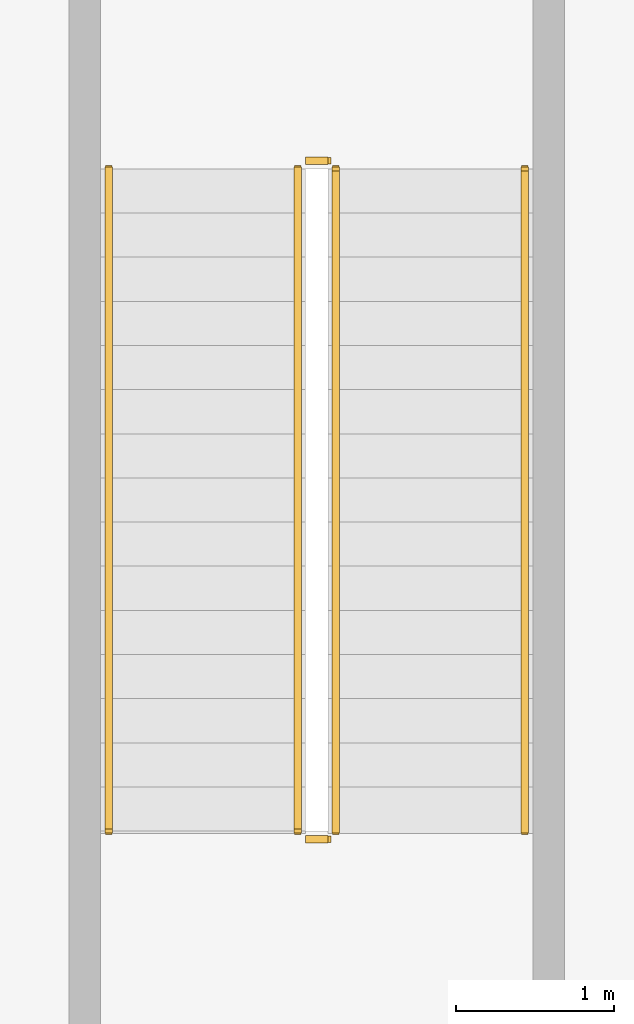
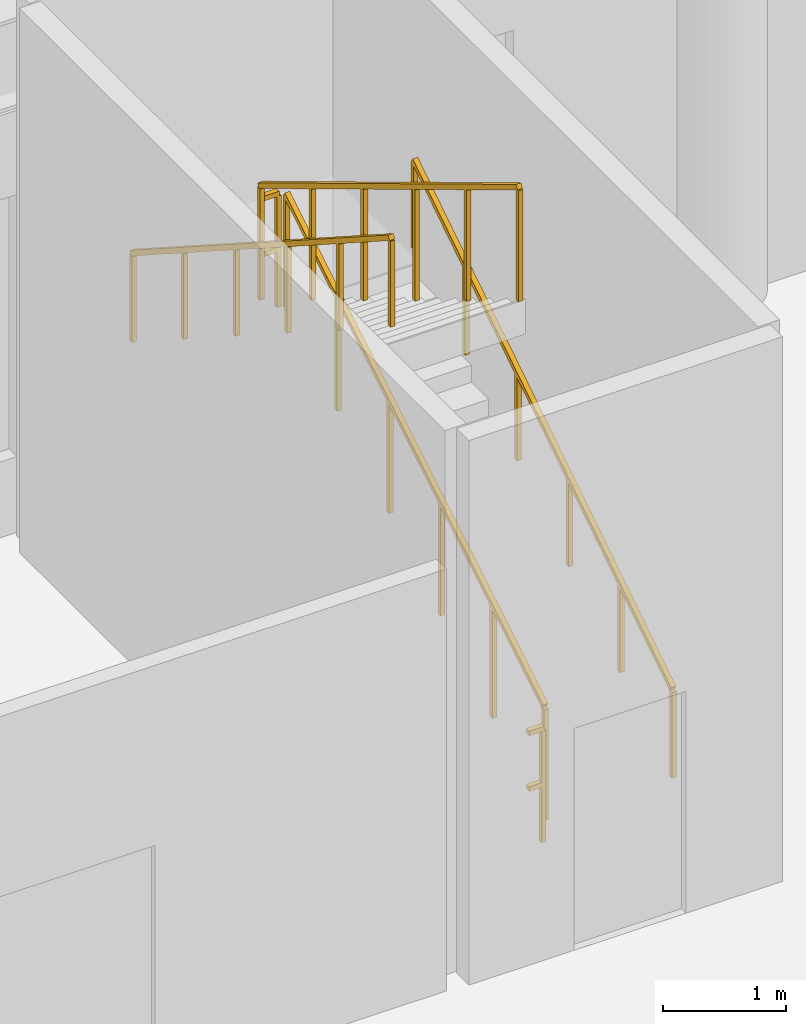
# One storey, part 24 of 24: 6 railings.
"""IFC4 building model written with IfcOpenShell, lengths in metres."""

from ifc_helpers import new_model, si_unit, derived_unit, direction, frame, origin, origin_2d, place, context, subcontext, project, spatial, rectangle, extrude, material, type_object, element, save


model = new_model("IFC4")

# Units and contexts
model_context = context("Model", 3, precision=1e-05, world=origin(), true_north=direction((0.0, 1.0)))
body_context = subcontext(model_context, "Body", "Model", "MODEL_VIEW")
ifc_project = project(units=[si_unit("LENGTHUNIT", "METRE"), si_unit("AREAUNIT", "SQUARE_METRE"), si_unit("VOLUMEUNIT", "CUBIC_METRE"), si_unit("PLANEANGLEUNIT", "RADIAN"), si_unit("MASSUNIT", "GRAM", prefix="KILO"), si_unit("THERMODYNAMICTEMPERATUREUNIT", "KELVIN"), si_unit("POWERUNIT", "WATT"), derived_unit("THERMALTRANSMITTANCEUNIT", [(si_unit("POWERUNIT", "WATT"), 1), (si_unit("AREAUNIT", "SQUARE_METRE"), -1), (si_unit("THERMODYNAMICTEMPERATUREUNIT", "KELVIN"), -1)])], contexts=[model_context])

# Site, building, storey
site_placement = place(None, origin())
site = spatial("IfcSite", under=ifc_project, at=site_placement, CompositionType="ELEMENT")
building_placement = place(site_placement, origin())
building = spatial("IfcBuilding", under=site, at=building_placement, Name="Zahravan Archway Hotel and Residences", CompositionType="ELEMENT")
storey_placement = place(building_placement, frame((0.0, 0.0, 10.800048828125)))
storey = spatial("IfcBuildingStorey", under=building, at=storey_placement, Name="L02", CompositionType="ELEMENT", Elevation=10.800048828125)

# Railings
ifc_material_1 = material(Name="Painted Tubular Steel", Category="steel")
railing_type_1 = type_object("IfcRailingType", Name="RL-STG-1150", PredefinedType="GUARDRAIL", material=ifc_material_1)
railing_1_placement = place(storey_placement, frame((74.14990234375, 40.77001953125, 0.168701171875)))
element("IfcRailing", 1, at=railing_1_placement, inside=storey, type_object=railing_type_1, Name="L02 ST-P1 stair guard 1", PredefinedType="GUARDRAIL", context=body_context, shape_type="SweptSolid", body=[
    extrude(rectangle(XDim=0.048095703125, YDim=0.048095703125, at=origin_2d()), frame((0.0, 0.0, 1.1259765625), z_axis=(0.0, 0.856476492594, 0.516186030065), x_axis=(-1.0, 0.0, 0.0)), (0.0, 0.0, 1.0), 4.90380859375),
    extrude(rectangle(XDim=0.0419921875, YDim=0.0419921875, at=origin_2d()), origin(), (0.0, 0.0, 1.0), 1.101806640625),
    extrude(rectangle(XDim=0.0419921875, YDim=0.0419921875, at=origin_2d()), frame((0.0, 0.840087890625, 0.50634765625)), (0.0, 0.0, 1.0), 1.101806640625),
    extrude(rectangle(XDim=0.0419921875, YDim=0.0419921875, at=origin_2d()), frame((0.0, 1.679931640625, 1.012451171875)), (0.0, 0.0, 1.0), 1.101806640625),
    extrude(rectangle(XDim=0.0419921875, YDim=0.0419921875, at=origin_2d()), frame((0.0, 2.52001953125, 1.518798828125)), (0.0, 0.0, 1.0), 1.101806640625),
    extrude(rectangle(XDim=0.0419921875, YDim=0.0419921875, at=origin_2d()), frame((0.0, 3.35986328125, 2.02490234375)), (0.0, 0.0, 1.0), 1.101806640625),
    extrude(rectangle(XDim=0.0419921875, YDim=0.0419921875, at=origin_2d()), frame((0.0, 4.199951171875, 2.53125)), (0.0, 0.0, 1.0), 1.101806640625),
])
railing_2_placement = place(storey_placement, frame((74.10009765625, 45.02001953125, 2.699951171875)))
element("IfcRailing", 2, at=railing_2_placement, inside=storey, type_object=railing_type_1, Name="L02 ST-P1 stair guard 2", PredefinedType="GUARDRAIL", context=body_context, shape_type="SweptSolid", body=[
    extrude(rectangle(XDim=0.048095703125, YDim=0.048095703125, at=origin_2d()), frame((0.0, 0.0, 1.1259765625), z_axis=(-1.0, 0.0, 0.0), x_axis=(0.0, -1.0, 0.0)), (0.0, 0.0, 1.0), 0.14013671875),
    extrude(rectangle(XDim=0.048095703125, YDim=0.048095703125, at=origin_2d()), frame((0.0, 0.0, 0.574951171875), z_axis=(-1.0, 0.0, 0.0), x_axis=(0.0, -1.0, 0.0)), (0.0, 0.0, 1.0), 0.14013671875),
    extrude(rectangle(XDim=0.0419921875, YDim=0.0419921875, at=origin_2d()), origin(), (0.0, 0.0, 1.0), 1.101806640625),
])
railing_3_placement = place(storey_placement, frame((73.909912109375, 44.969970703125, 2.86865234375)))
element("IfcRailing", 3, at=railing_3_placement, inside=storey, type_object=railing_type_1, Name="L02 ST-P1 stair guard 3", PredefinedType="GUARDRAIL", context=body_context, shape_type="SweptSolid", body=[
    extrude(rectangle(XDim=0.048095703125, YDim=0.048095703125, at=origin_2d()), frame((0.0, 0.0, 1.1259765625), z_axis=(0.0, -0.856476492594, 0.516186030065), x_axis=(1.0, 0.0, 0.0)), (0.0, 0.0, 1.0), 4.90380859375),
    extrude(rectangle(XDim=0.0419921875, YDim=0.0419921875, at=origin_2d()), origin(), (0.0, 0.0, 1.0), 1.101806640625),
    extrude(rectangle(XDim=0.0419921875, YDim=0.0419921875, at=origin_2d()), frame((0.0, -0.840087890625, 0.50634765625)), (0.0, 0.0, 1.0), 1.101806640625),
    extrude(rectangle(XDim=0.0419921875, YDim=0.0419921875, at=origin_2d()), frame((0.0, -1.679931640625, 1.012451171875)), (0.0, 0.0, 1.0), 1.101806640625),
    extrude(rectangle(XDim=0.0419921875, YDim=0.0419921875, at=origin_2d()), frame((0.0, -2.52001953125, 1.518798828125)), (0.0, 0.0, 1.0), 1.101806640625),
    extrude(rectangle(XDim=0.0419921875, YDim=0.0419921875, at=origin_2d()), frame((0.0, -3.35986328125, 2.02490234375)), (0.0, 0.0, 1.0), 1.101806640625),
    extrude(rectangle(XDim=0.0419921875, YDim=0.0419921875, at=origin_2d()), frame((0.0, -4.199951171875, 2.53125)), (0.0, 0.0, 1.0), 1.101806640625),
])
railing_4_placement = place(storey_placement, frame((74.10009765625, 40.719970703125, 0.0)))
element("IfcRailing", 4, at=railing_4_placement, inside=storey, type_object=railing_type_1, Name="L02 ST-P1 stair guard 4", PredefinedType="GUARDRAIL", context=body_context, shape_type="SweptSolid", body=[
    extrude(rectangle(XDim=0.048095703125, YDim=0.048095703125, at=origin_2d()), frame((0.0, 0.0, 1.1259765625), z_axis=(-1.0, 0.0, 0.0), x_axis=(0.0, -1.0, 0.0)), (0.0, 0.0, 1.0), 0.14013671875),
    extrude(rectangle(XDim=0.048095703125, YDim=0.048095703125, at=origin_2d()), frame((0.0, 0.0, 0.574951171875), z_axis=(-1.0, 0.0, 0.0), x_axis=(0.0, -1.0, 0.0)), (0.0, 0.0, 1.0), 0.14013671875),
    extrude(rectangle(XDim=0.0419921875, YDim=0.0419921875, at=origin_2d()), origin(), (0.0, 0.0, 1.0), 1.101806640625),
])
ifc_material_2 = material(Name="Brushed Stainless Steel", Category="steel")
railing_type_2 = type_object("IfcRailingType", Name="RL-STH-900", PredefinedType="HANDRAIL", material=ifc_material_2)
railing_5_placement = place(storey_placement, frame((75.35009765625, 40.77001953125, 0.168701171875)))
element("IfcRailing", 5, at=railing_5_placement, inside=storey, type_object=railing_type_2, Name="L02 ST-P1 stair handrail 1", PredefinedType="HANDRAIL", context=body_context, shape_type="SweptSolid", body=[
    extrude(rectangle(XDim=0.048095703125, YDim=0.048095703125, at=origin_2d()), frame((0.0, 0.0, 0.8759765625), z_axis=(0.0, 0.841180064094, 0.540755119968), x_axis=(-1.0, 0.0, 0.0)), (0.0, 0.0, 1.0), 4.992919921875),
    extrude(rectangle(XDim=0.0419921875, YDim=0.0419921875, at=origin_2d()), origin(), (0.0, 0.0, 1.0), 0.851806640625),
    extrude(rectangle(XDim=0.0419921875, YDim=0.0419921875, at=origin_2d()), frame((0.0, 0.840087890625, 0.5400390625)), (0.0, 0.0, 1.0), 0.851806640625),
    extrude(rectangle(XDim=0.0419921875, YDim=0.0419921875, at=origin_2d()), frame((0.0, 1.679931640625, 1.080078125)), (0.0, 0.0, 1.0), 0.851806640625),
    extrude(rectangle(XDim=0.0419921875, YDim=0.0419921875, at=origin_2d()), frame((0.0, 2.52001953125, 1.619873046875)), (0.0, 0.0, 1.0), 0.851806640625),
    extrude(rectangle(XDim=0.0419921875, YDim=0.0419921875, at=origin_2d()), frame((0.0, 3.35986328125, 2.159912109375)), (0.0, 0.0, 1.0), 0.851806640625),
    extrude(rectangle(XDim=0.0419921875, YDim=0.0419921875, at=origin_2d()), frame((0.0, 4.199951171875, 2.699951171875)), (0.0, 0.0, 1.0), 0.851806640625),
])
railing_6_placement = place(storey_placement, frame((72.7099609375, 44.969970703125, 2.86865234375)))
element("IfcRailing", 6, at=railing_6_placement, inside=storey, type_object=railing_type_2, Name="L02 ST-P1 stair handrail 2", PredefinedType="HANDRAIL", context=body_context, shape_type="SweptSolid", body=[
    extrude(rectangle(XDim=0.048095703125, YDim=0.048095703125, at=origin_2d()), frame((0.0, 0.0, 0.8759765625), z_axis=(0.0, -0.841180064094, 0.540755119968), x_axis=(1.0, 0.0, 0.0)), (0.0, 0.0, 1.0), 4.992919921875),
    extrude(rectangle(XDim=0.0419921875, YDim=0.0419921875, at=origin_2d()), origin(), (0.0, 0.0, 1.0), 0.851806640625),
    extrude(rectangle(XDim=0.0419921875, YDim=0.0419921875, at=origin_2d()), frame((0.0, -0.840087890625, 0.5400390625)), (0.0, 0.0, 1.0), 0.851806640625),
    extrude(rectangle(XDim=0.0419921875, YDim=0.0419921875, at=origin_2d()), frame((0.0, -1.679931640625, 1.080078125)), (0.0, 0.0, 1.0), 0.851806640625),
    extrude(rectangle(XDim=0.0419921875, YDim=0.0419921875, at=origin_2d()), frame((0.0, -2.52001953125, 1.619873046875)), (0.0, 0.0, 1.0), 0.851806640625),
    extrude(rectangle(XDim=0.0419921875, YDim=0.0419921875, at=origin_2d()), frame((0.0, -3.35986328125, 2.159912109375)), (0.0, 0.0, 1.0), 0.851806640625),
    extrude(rectangle(XDim=0.0419921875, YDim=0.0419921875, at=origin_2d()), frame((0.0, -4.199951171875, 2.699951171875)), (0.0, 0.0, 1.0), 0.851806640625),
])

save(model, "model.ifc")
